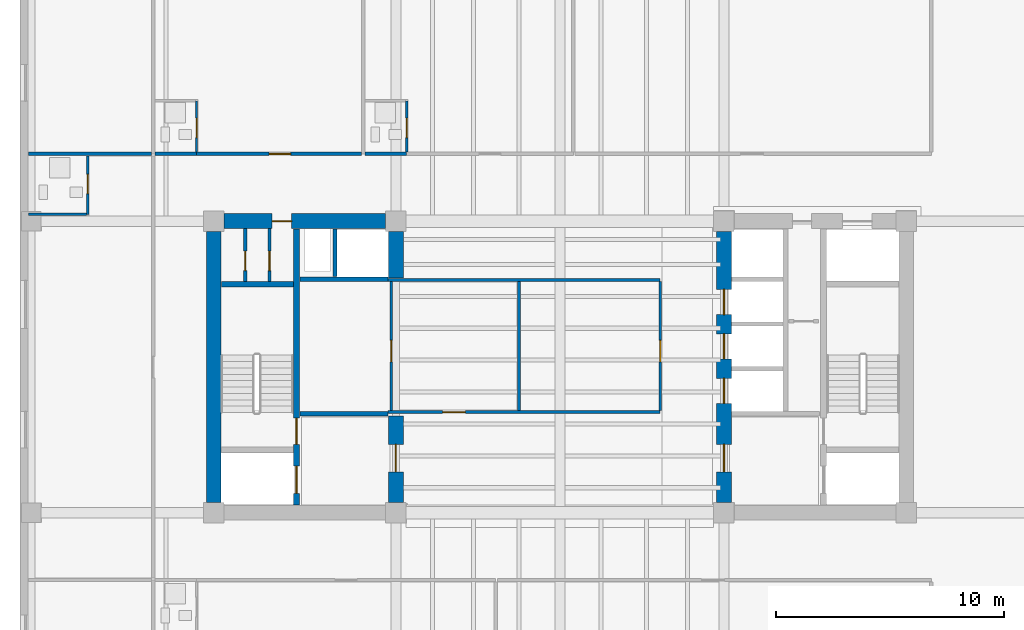
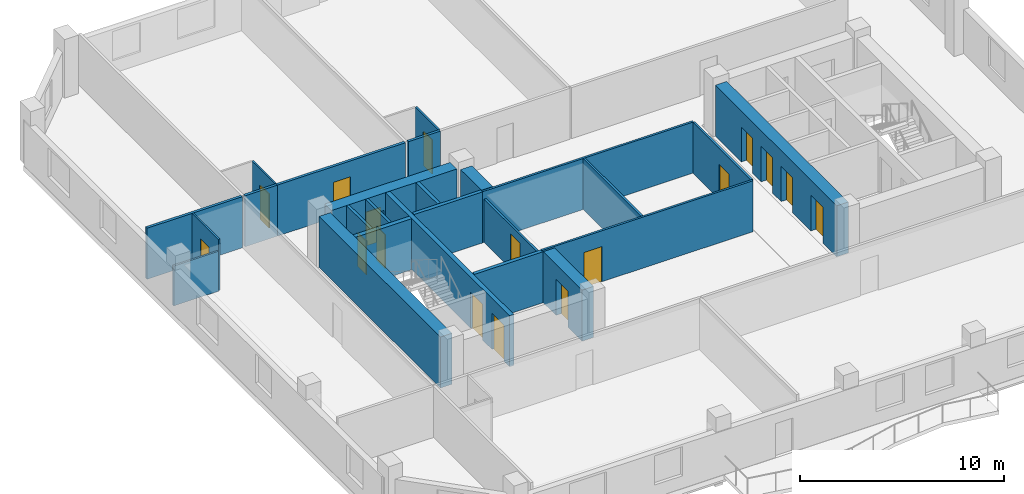
# One storey, part 3 of 9: 25 walls, 17 doors, 17 openings.
"""IFC4 building model written with IfcOpenShell, lengths in metres."""

from ifc_helpers import new_model, si_unit, direction, frame, frame_2d, origin, place, context, subcontext, project, spatial, rectangle, extrude, material, layer, layer_set, type_object, element, fill, save


model = new_model("IFC4")

# Units and contexts
model_context = context("Model", 3, precision=1e-05, world=origin(), true_north=direction((0.0, 1.0)))
body_context = subcontext(model_context, "Body", "Model", "MODEL_VIEW")
ifc_project = project(units=[si_unit("LENGTHUNIT", "METRE"), si_unit("AREAUNIT", "SQUARE_METRE"), si_unit("VOLUMEUNIT", "CUBIC_METRE"), si_unit("PLANEANGLEUNIT", "RADIAN"), si_unit("MASSUNIT", "GRAM", prefix="KILO")], contexts=[model_context])

# Site, building, storey
site_placement = place(None, origin())
site = spatial("IfcSite", under=ifc_project, at=site_placement, CompositionType="ELEMENT")
building_placement = place(site_placement, origin())
building = spatial("IfcBuilding", under=site, at=building_placement, Name="Kranthara Brick Stack", CompositionType="ELEMENT")
storey_placement = place(building_placement, frame((0.0, 0.0, 193.800048828125)))
storey = spatial("IfcBuildingStorey", under=building, at=storey_placement, Name="L50", CompositionType="ELEMENT", Elevation=193.800048828125)

# Wall, openings, doors
ifc_material_1 = material(Name="Concrete C50/60", Category="concrete")
ifc_layer_1 = layer(ifc_material_1, 0.25)
ifc_layer_set_1 = layer_set([ifc_layer_1], Name="Concrete C50/60")
wall_type_1 = type_object("IfcWallType", Name="WL-CORE-250", PredefinedType="SHEAR", material=ifc_layer_set_1)
wall_1_placement = place(storey_placement, frame((16.43505859375, 21.135009765625, 0.0), z_axis=(0.0, 0.0, 1.0), x_axis=(0.0, 1.0, 0.0)))
wall_1 = element("IfcWall", 1, at=wall_1_placement, inside=storey, type_object=wall_type_1, Name="L50 West Core Stair Bearing Spine Wall", PredefinedType="SHEAR", context=body_context, shape_type="SweptSolid", body=[
    extrude(rectangle(XDim=12.1298828125, YDim=0.25, at=frame_2d((6.06494140625, 0.0))), origin(), (0.0, 0.0, 1.0), 3.050048828125),
])
opening_1_placement = place(wall_1_placement, frame((0.514892578125, 0.0, 0.0)))
opening_1 = element("IfcOpeningElement", 2, at=opening_1_placement, cuts=wall_1, Name="Opening LD01", PredefinedType="OPENING", context=body_context, shape_type="SweptSolid", body=[
    extrude(rectangle(XDim=1.199951171875, YDim=2.14990234375, at=frame_2d((0.60009765625, 1.074951171875))), frame((0.0, 0.135009765625, 0.0), z_axis=(0.0, -1.0, 0.0), x_axis=(1.0, 0.0, 0.0)), (0.0, 0.0, 1.0), 0.27001953125),
])
opening_2_placement = place(wall_1_placement, frame((2.6650390625, 0.0, 0.0)))
opening_2 = element("IfcOpeningElement", 3, at=opening_2_placement, cuts=wall_1, Name="Opening D05", PredefinedType="OPENING", context=body_context, shape_type="SweptSolid", body=[
    extrude(rectangle(XDim=1.14990234375, YDim=2.14990234375, at=frame_2d((0.574951171875, 1.074951171875))), frame((0.0, 0.135009765625, 0.0), z_axis=(0.0, -1.0, 0.0), x_axis=(1.0, 0.0, 0.0)), (0.0, 0.0, 1.0), 0.27001953125),
])
ifc_material_2 = material(Name="Stainless steel sliding landing door", Category="steel")
door_type_1 = type_object("IfcDoorType", Name="DR-LD-FF1200", OperationType="DOUBLE_DOOR_SLIDING", PredefinedType="DOOR", material=ifc_material_2)
door_1_placement = place(opening_1_placement, origin())
door_1 = element("IfcDoor", 4, at=door_1_placement, inside=storey, type_object=door_type_1, Name="L50 Firefighting Lift FF-01 Landing Door", OperationType="DOUBLE_DOOR_SLIDING", OverallHeight=2.14990234375, OverallWidth=1.199951171875, PredefinedType="DOOR", context=body_context, shape_type="SweptSolid", body=[
    extrude(rectangle(XDim=1.199951171875, YDim=2.14990234375, at=frame_2d((0.60009765625, 1.074951171875))), frame((0.0, 0.02490234375, 0.0), z_axis=(0.0, -1.0, 0.0), x_axis=(1.0, 0.0, 0.0)), (0.0, 0.0, 1.0), 0.050048828125),
])
fill(opening_1, door_1)
ifc_material_3 = material(Name="Solid-core hardwood timber leaf in steel frame", Category="steel")
door_type_2 = type_object("IfcDoorType", Name="DR-ST-1150", OperationType="NOTDEFINED", PredefinedType="DOOR", material=ifc_material_3)
door_2_placement = place(opening_2_placement, origin())
door_2 = element("IfcDoor", 5, at=door_2_placement, inside=storey, type_object=door_type_2, Name="L50 Exit Stair ST01 Door", OperationType="SINGLE_SWING_RIGHT", OverallHeight=2.14990234375, OverallWidth=1.14990234375, PredefinedType="DOOR", context=body_context, shape_type="SweptSolid", body=[
    extrude(rectangle(XDim=1.14990234375, YDim=2.14990234375, at=frame_2d((0.574951171875, 1.074951171875))), frame((0.0, 0.02490234375, 0.0), z_axis=(0.0, -1.0, 0.0), x_axis=(1.0, 0.0, 0.0)), (0.0, 0.0, 1.0), 0.050048828125),
])
fill(opening_2, door_2)

# Walls
wall_2_placement = place(storey_placement, frame((13.135009765625, 30.830078125, 0.0), z_axis=(0.0, 0.0, 1.0), x_axis=(1.0, 0.0, 0.0)))
element("IfcWall", 6, at=wall_2_placement, inside=storey, type_object=wall_type_1, Name="L50 West Stairwell Bearing Wall WST", PredefinedType="SHEAR", context=body_context, shape_type="SweptSolid", body=[
    extrude(rectangle(XDim=3.175048828125, YDim=0.25, at=frame_2d((1.58740234375, 0.0))), origin(), (0.0, 0.0, 1.0), 3.050048828125),
])
ifc_material_4 = material(Name="Concrete C60/75", Category="concrete")
ifc_layer_2 = layer(ifc_material_4, 0.64990234375)
ifc_layer_set_2 = layer_set([ifc_layer_2], Name="Concrete C60/75")
wall_type_2 = type_object("IfcWallType", Name="WL-CORE-650", PredefinedType="SHEAR", material=ifc_layer_set_2)
wall_3_placement = place(storey_placement, frame((12.800048828125, 21.2548828125, 0.0), z_axis=(0.0, 0.0, 1.0), x_axis=(0.0, 1.0, 0.0)))
element("IfcWall", 7, at=wall_3_placement, inside=storey, type_object=wall_type_2, Name="L50 West Core Shear Wall West", PredefinedType="SHEAR", context=body_context, shape_type="SweptSolid", body=[
    extrude(rectangle(XDim=11.89013671875, YDim=0.64990234375, at=frame_2d((5.945068359375, 0.0))), origin(), (0.0, 0.0, 1.0), 3.050048828125),
])

# Wall, opening, door
wall_4_placement = place(storey_placement, frame((13.2548828125, 33.60009765625, 0.0), z_axis=(0.0, 0.0, 1.0), x_axis=(1.0, 0.0, 0.0)))
wall_4 = element("IfcWall", 8, at=wall_4_placement, inside=storey, type_object=wall_type_2, Name="L50 West Core Shear Wall North", PredefinedType="SHEAR", context=body_context, shape_type="SweptSolid", body=[
    extrude(rectangle(XDim=7.090087890625, YDim=0.64990234375, at=frame_2d((3.544921875, 0.0))), origin(), (0.0, 0.0, 1.0), 3.050048828125),
])
opening_3_placement = place(wall_4_placement, frame((2.114990234375, 0.0, 0.0)))
opening_3 = element("IfcOpeningElement", 9, at=opening_3_placement, cuts=wall_4, Name="Opening D10", PredefinedType="OPENING", context=body_context, shape_type="SweptSolid", body=[
    extrude(rectangle(XDim=0.85009765625, YDim=2.02001953125, at=frame_2d((0.425048828125, 1.010009765625))), frame((0.0, 0.3349609375, 0.0), z_axis=(0.0, -1.0, 0.0), x_axis=(1.0, 0.0, 0.0)), (0.0, 0.0, 1.0), 0.669921875),
])
ifc_material_5 = material(Name="Solid-core hardwood timber leaf in steel frame", Category="steel")
door_type_3 = type_object("IfcDoorType", Name="DR-RSR-850", OperationType="NOTDEFINED", PredefinedType="DOOR", material=ifc_material_5)
door_3_placement = place(opening_3_placement, origin())
door_3 = element("IfcDoor", 10, at=door_3_placement, inside=storey, type_object=door_type_3, Name="L50 West Core Service Door 1", OperationType="SINGLE_SWING_RIGHT", OverallHeight=2.02001953125, OverallWidth=0.85009765625, PredefinedType="DOOR", context=body_context, shape_type="SweptSolid", body=[
    extrude(rectangle(XDim=0.85009765625, YDim=2.02001953125, at=frame_2d((0.425048828125, 1.010009765625))), frame((0.0, 0.02490234375, 0.0), z_axis=(0.0, -1.0, 0.0), x_axis=(1.0, 0.0, 0.0)), (0.0, 0.0, 1.0), 0.050048828125),
])
fill(opening_3, door_3)

wall_5_placement = place(storey_placement, frame((20.800048828125, 21.2548828125, 0.0), z_axis=(0.0, 0.0, 1.0), x_axis=(0.0, 1.0, 0.0)))
wall_5 = element("IfcWall", 11, at=wall_5_placement, inside=storey, type_object=wall_type_2, Name="L50 West Core Lobby Shear Wall", PredefinedType="SHEAR", context=body_context, shape_type="SweptSolid", body=[
    extrude(rectangle(XDim=3.795166015625, YDim=0.64990234375, at=frame_2d((1.8974609375, 0.0))), origin(), (0.0, 0.0, 1.0), 3.050048828125),
])
opening_4_placement = place(wall_5_placement, frame((1.344970703125, 0.0, 0.0)))
opening_4 = element("IfcOpeningElement", 12, at=opening_4_placement, cuts=wall_5, Name="Opening D06", PredefinedType="OPENING", context=body_context, shape_type="SweptSolid", body=[
    extrude(rectangle(XDim=1.199951171875, YDim=2.14990234375, at=frame_2d((0.60009765625, 1.074951171875))), frame((0.0, 0.3349609375, 0.0), z_axis=(0.0, -1.0, 0.0), x_axis=(1.0, 0.0, 0.0)), (0.0, 0.0, 1.0), 0.669921875),
])
ifc_material_6 = material(Name="Solid-core hardwood timber leaf in steel frame", Category="steel")
door_type_4 = type_object("IfcDoorType", Name="DR-FFL-1200", OperationType="NOTDEFINED", PredefinedType="DOOR", material=ifc_material_6)
door_4_placement = place(opening_4_placement, origin())
door_4 = element("IfcDoor", 13, at=door_4_placement, inside=storey, type_object=door_type_4, Name="L50 West Firefighting Lobby Door", OperationType="SINGLE_SWING_LEFT", OverallHeight=2.14990234375, OverallWidth=1.199951171875, PredefinedType="DOOR", context=body_context, shape_type="SweptSolid", body=[
    extrude(rectangle(XDim=1.199951171875, YDim=2.14990234375, at=frame_2d((0.60009765625, 1.074951171875))), frame((0.0, 0.02490234375, 0.0), z_axis=(0.0, -1.0, 0.0), x_axis=(1.0, 0.0, 0.0)), (0.0, 0.0, 1.0), 0.050048828125),
])
fill(opening_4, door_4)

# Wall
wall_6_placement = place(storey_placement, frame((20.800048828125, 31.10009765625, 0.0), z_axis=(0.0, 0.0, 1.0), x_axis=(0.0, 1.0, 0.0)))
element("IfcWall", 14, at=wall_6_placement, inside=storey, type_object=wall_type_2, Name="L50 West Core High-Rise Lift Wall", PredefinedType="SHEAR", context=body_context, shape_type="SweptSolid", body=[
    extrude(rectangle(XDim=2.044921875, YDim=0.64990234375, at=frame_2d((1.0224609375, 0.0))), origin(), (0.0, 0.0, 1.0), 3.050048828125),
])

# Wall, openings, doors
wall_7_placement = place(storey_placement, frame((35.199951171875, 21.2548828125, 0.0), z_axis=(0.0, 0.0, 1.0), x_axis=(0.0, 1.0, 0.0)))
wall_7 = element("IfcWall", 15, at=wall_7_placement, inside=storey, type_object=wall_type_2, Name="L50 East Core Shear Wall West", PredefinedType="SHEAR", context=body_context, shape_type="SweptSolid", body=[
    extrude(rectangle(XDim=11.89013671875, YDim=0.64990234375, at=frame_2d((5.945068359375, 0.0))), origin(), (0.0, 0.0, 1.0), 3.050048828125),
])
opening_5_placement = place(wall_7_placement, frame((1.344970703125, 0.0, 0.0)))
opening_5 = element("IfcOpeningElement", 16, at=opening_5_placement, cuts=wall_7, Name="Opening D06", PredefinedType="OPENING", context=body_context, shape_type="SweptSolid", body=[
    extrude(rectangle(XDim=1.199951171875, YDim=2.14990234375, at=frame_2d((0.60009765625, 1.074951171875))), frame((0.0, 0.3349609375, 0.0), z_axis=(0.0, -1.0, 0.0), x_axis=(1.0, 0.0, 0.0)), (0.0, 0.0, 1.0), 0.669921875),
])
opening_6_placement = place(wall_7_placement, frame((4.344970703125, 0.0, 0.0)))
opening_6 = element("IfcOpeningElement", 17, at=opening_6_placement, cuts=wall_7, Name="Opening LD02", PredefinedType="OPENING", context=body_context, shape_type="SweptSolid", body=[
    extrude(rectangle(XDim=1.10009765625, YDim=2.10009765625, at=frame_2d((0.550048828125, 1.050048828125))), frame((0.0, 0.3349609375, 0.0), z_axis=(0.0, -1.0, 0.0), x_axis=(1.0, 0.0, 0.0)), (0.0, 0.0, 1.0), 0.669921875),
])
opening_7_placement = place(wall_7_placement, frame((6.294921875, 0.0, 0.0)))
opening_7 = element("IfcOpeningElement", 18, at=opening_7_placement, cuts=wall_7, Name="Opening LD02", PredefinedType="OPENING", context=body_context, shape_type="SweptSolid", body=[
    extrude(rectangle(XDim=1.10009765625, YDim=2.10009765625, at=frame_2d((0.550048828125, 1.050048828125))), frame((0.0, 0.3349609375, 0.0), z_axis=(0.0, -1.0, 0.0), x_axis=(1.0, 0.0, 0.0)), (0.0, 0.0, 1.0), 0.669921875),
])
opening_8_placement = place(wall_7_placement, frame((8.2451171875, 0.0, 0.0)))
opening_8 = element("IfcOpeningElement", 19, at=opening_8_placement, cuts=wall_7, Name="Opening LD02", PredefinedType="OPENING", context=body_context, shape_type="SweptSolid", body=[
    extrude(rectangle(XDim=1.10009765625, YDim=2.10009765625, at=frame_2d((0.550048828125, 1.050048828125))), frame((0.0, 0.3349609375, 0.0), z_axis=(0.0, -1.0, 0.0), x_axis=(1.0, 0.0, 0.0)), (0.0, 0.0, 1.0), 0.669921875),
])
door_5_placement = place(opening_5_placement, origin())
door_5 = element("IfcDoor", 20, at=door_5_placement, inside=storey, type_object=door_type_4, Name="L50 East Firefighting Lobby Door", OperationType="SINGLE_SWING_RIGHT", OverallHeight=2.14990234375, OverallWidth=1.199951171875, PredefinedType="DOOR", context=body_context, shape_type="SweptSolid", body=[
    extrude(rectangle(XDim=1.199951171875, YDim=2.14990234375, at=frame_2d((0.60009765625, 1.074951171875))), frame((0.0, 0.02490234375, 0.0), z_axis=(0.0, -1.0, 0.0), x_axis=(1.0, 0.0, 0.0)), (0.0, 0.0, 1.0), 0.050048828125),
])
fill(opening_5, door_5)
ifc_material_7 = material(Name="Stainless steel sliding landing door", Category="steel")
door_type_5 = type_object("IfcDoorType", Name="DR-LD-PL1100", OperationType="DOUBLE_DOOR_SLIDING", PredefinedType="DOOR", material=ifc_material_7)
door_6_placement = place(opening_6_placement, origin())
door_6 = element("IfcDoor", 21, at=door_6_placement, inside=storey, type_object=door_type_5, Name="L50 PL-04 Lift Landing Door", OperationType="DOUBLE_DOOR_SLIDING", OverallHeight=2.10009765625, OverallWidth=1.10009765625, PredefinedType="DOOR", context=body_context, shape_type="SweptSolid", body=[
    extrude(rectangle(XDim=1.10009765625, YDim=2.10009765625, at=frame_2d((0.550048828125, 1.050048828125))), frame((0.0, 0.02490234375, 0.0), z_axis=(0.0, -1.0, 0.0), x_axis=(1.0, 0.0, 0.0)), (0.0, 0.0, 1.0), 0.050048828125),
])
fill(opening_6, door_6)
door_7_placement = place(opening_7_placement, origin())
door_7 = element("IfcDoor", 22, at=door_7_placement, inside=storey, type_object=door_type_5, Name="L50 PL-05 Lift Landing Door", OperationType="DOUBLE_DOOR_SLIDING", OverallHeight=2.10009765625, OverallWidth=1.10009765625, PredefinedType="DOOR", context=body_context, shape_type="SweptSolid", body=[
    extrude(rectangle(XDim=1.10009765625, YDim=2.10009765625, at=frame_2d((0.550048828125, 1.050048828125))), frame((0.0, 0.02490234375, 0.0), z_axis=(0.0, -1.0, 0.0), x_axis=(1.0, 0.0, 0.0)), (0.0, 0.0, 1.0), 0.050048828125),
])
fill(opening_7, door_7)
door_8_placement = place(opening_8_placement, origin())
door_8 = element("IfcDoor", 23, at=door_8_placement, inside=storey, type_object=door_type_5, Name="L50 PL-06 Lift Landing Door", OperationType="DOUBLE_DOOR_SLIDING", OverallHeight=2.10009765625, OverallWidth=1.10009765625, PredefinedType="DOOR", context=body_context, shape_type="SweptSolid", body=[
    extrude(rectangle(XDim=1.10009765625, YDim=2.10009765625, at=frame_2d((0.550048828125, 1.050048828125))), frame((0.0, 0.02490234375, 0.0), z_axis=(0.0, -1.0, 0.0), x_axis=(1.0, 0.0, 0.0)), (0.0, 0.0, 1.0), 0.050048828125),
])
fill(opening_8, door_8)

# Wall, opening, door
ifc_material_8 = material(Name="Moisture-resistant wet-room partition", Category="other")
ifc_layer_3 = layer(ifc_material_8, 0.10009765625)
ifc_layer_set_3 = layer_set([ifc_layer_3], Name="Moisture-resistant wet-room partition")
wall_type_3 = type_object("IfcWallType", Name="WL-PART-100", PredefinedType="PARTITIONING", material=ifc_layer_set_3)
wall_8_placement = place(storey_placement, frame((12.050048828125, 36.6298828125, 0.0), z_axis=(0.0, 0.0, 1.0), x_axis=(0.0, 1.0, 0.0)))
wall_8 = element("IfcWall", 24, at=wall_8_placement, inside=storey, type_object=wall_type_3, Name="L50 Interior Partition 021", PredefinedType="PARTITIONING", context=body_context, shape_type="SweptSolid", body=[
    extrude(rectangle(XDim=2.25, YDim=0.10009765625, at=frame_2d((1.125, 0.0))), origin(), (0.0, 0.0, 1.0), 3.050048828125),
])
opening_9_placement = place(wall_8_placement, frame((0.639892578125, 0.0, 0.0)))
opening_9 = element("IfcOpeningElement", 25, at=opening_9_placement, cuts=wall_8, Name="Opening D17", PredefinedType="OPENING", context=body_context, shape_type="SweptSolid", body=[
    extrude(rectangle(XDim=0.85009765625, YDim=2.050048828125, at=frame_2d((0.425048828125, 1.02490234375))), frame((0.0, 0.06005859375, 0.0), z_axis=(0.0, -1.0, 0.0), x_axis=(1.0, 0.0, 0.0)), (0.0, 0.0, 1.0), 0.1201171875),
])
ifc_material_9 = material(Name="Solid-core hardwood timber leaf in steel frame", Category="steel")
door_type_6 = type_object("IfcDoorType", Name="DR-WET-850", OperationType="NOTDEFINED", PredefinedType="DOOR", material=ifc_material_9)
door_9_placement = place(opening_9_placement, origin())
door_9 = element("IfcDoor", 26, at=door_9_placement, inside=storey, type_object=door_type_6, Name="L50 Key 03 En-Suite Door 10", OperationType="SINGLE_SWING_RIGHT", OverallHeight=2.050048828125, OverallWidth=0.85009765625, PredefinedType="DOOR", context=body_context, shape_type="SweptSolid", body=[
    extrude(rectangle(XDim=0.85009765625, YDim=2.050048828125, at=frame_2d((0.425048828125, 1.02490234375))), frame((0.0, 0.02490234375, 0.0), z_axis=(0.0, -1.0, 0.0), x_axis=(1.0, 0.0, 0.0)), (0.0, 0.0, 1.0), 0.050048828125),
])
fill(opening_9, door_9)

wall_9_placement = place(storey_placement, frame((21.27001953125, 36.6298828125, 0.0), z_axis=(0.0, 0.0, 1.0), x_axis=(0.0, 1.0, 0.0)))
wall_9 = element("IfcWall", 27, at=wall_9_placement, inside=storey, type_object=wall_type_3, Name="L50 Interior Partition 025", PredefinedType="PARTITIONING", context=body_context, shape_type="SweptSolid", body=[
    extrude(rectangle(XDim=2.25, YDim=0.10009765625, at=frame_2d((1.125, 0.0))), origin(), (0.0, 0.0, 1.0), 3.050048828125),
])
opening_10_placement = place(wall_9_placement, frame((0.639892578125, 0.0, 0.0)))
opening_10 = element("IfcOpeningElement", 28, at=opening_10_placement, cuts=wall_9, Name="Opening D17", PredefinedType="OPENING", context=body_context, shape_type="SweptSolid", body=[
    extrude(rectangle(XDim=0.85009765625, YDim=2.050048828125, at=frame_2d((0.425048828125, 1.02490234375))), frame((0.0, 0.06005859375, 0.0), z_axis=(0.0, -1.0, 0.0), x_axis=(1.0, 0.0, 0.0)), (0.0, 0.0, 1.0), 0.1201171875),
])
door_10_placement = place(opening_10_placement, origin())
door_10 = element("IfcDoor", 29, at=door_10_placement, inside=storey, type_object=door_type_6, Name="L50 Key 04 En-Suite Door 12", OperationType="SINGLE_SWING_RIGHT", OverallHeight=2.050048828125, OverallWidth=0.85009765625, PredefinedType="DOOR", context=body_context, shape_type="SweptSolid", body=[
    extrude(rectangle(XDim=0.85009765625, YDim=2.050048828125, at=frame_2d((0.425048828125, 1.02490234375))), frame((0.0, 0.02490234375, 0.0), z_axis=(0.0, -1.0, 0.0), x_axis=(1.0, 0.0, 0.0)), (0.0, 0.0, 1.0), 0.050048828125),
])
fill(opening_10, door_10)

wall_10_placement = place(storey_placement, frame((7.27001953125, 33.89990234375, 0.0), z_axis=(0.0, 0.0, 1.0), x_axis=(0.0, 1.0, 0.0)))
wall_10 = element("IfcWall", 30, at=wall_10_placement, inside=storey, type_object=wall_type_3, Name="L50 Interior Partition 033", PredefinedType="PARTITIONING", context=body_context, shape_type="SweptSolid", body=[
    extrude(rectangle(XDim=2.570068359375, YDim=0.10009765625, at=frame_2d((1.28515625, 0.0))), origin(), (0.0, 0.0, 1.0), 3.050048828125),
])
opening_11_placement = place(wall_10_placement, frame((0.905029296875, 0.0, 0.0)))
opening_11 = element("IfcOpeningElement", 31, at=opening_11_placement, cuts=wall_10, Name="Opening D17", PredefinedType="OPENING", context=body_context, shape_type="SweptSolid", body=[
    extrude(rectangle(XDim=0.85009765625, YDim=2.050048828125, at=frame_2d((0.425048828125, 1.02490234375))), frame((0.0, 0.06005859375, 0.0), z_axis=(0.0, -1.0, 0.0), x_axis=(1.0, 0.0, 0.0)), (0.0, 0.0, 1.0), 0.1201171875),
])
door_11_placement = place(opening_11_placement, origin())
door_11 = element("IfcDoor", 32, at=door_11_placement, inside=storey, type_object=door_type_6, Name="L50 West Key 6 Bath 15", OperationType="SINGLE_SWING_LEFT", OverallHeight=2.050048828125, OverallWidth=0.85009765625, PredefinedType="DOOR", context=body_context, shape_type="SweptSolid", body=[
    extrude(rectangle(XDim=0.85009765625, YDim=2.050048828125, at=frame_2d((0.425048828125, 1.02490234375))), frame((0.0, 0.02490234375, 0.0), z_axis=(0.0, -1.0, 0.0), x_axis=(1.0, 0.0, 0.0)), (0.0, 0.0, 1.0), 0.050048828125),
])
fill(opening_11, door_11)

# Wall
wall_11_placement = place(storey_placement, frame((4.675048828125, 33.89990234375, 0.0), z_axis=(0.0, 0.0, 1.0), x_axis=(1.0, 0.0, 0.0)))
element("IfcWall", 33, at=wall_11_placement, inside=storey, type_object=wall_type_3, Name="L50 Interior Partition 034", PredefinedType="PARTITIONING", context=body_context, shape_type="SweptSolid", body=[
    extrude(rectangle(XDim=2.5400390625, YDim=0.10009765625, at=frame_2d((1.27001953125, 0.0))), origin(), (0.0, 0.0, 1.0), 2.385009765625),
])

# Wall, opening, door
ifc_material_10 = material(Name="Acoustic gypsum plasterboard partition", Category="other")
ifc_layer_4 = layer(ifc_material_10, 0.1201171875)
ifc_layer_set_4 = layer_set([ifc_layer_4], Name="Acoustic gypsum plasterboard partition")
wall_type_4 = type_object("IfcWallType", Name="WL-PART-120", PredefinedType="PARTITIONING", material=ifc_layer_set_4)
wall_12_placement = place(storey_placement, frame((20.4599609375, 25.219970703125, 0.0), z_axis=(0.0, 0.0, 1.0), x_axis=(1.0, 0.0, 0.0)))
wall_12 = element("IfcWall", 34, at=wall_12_placement, inside=storey, type_object=wall_type_4, Name="L50 Interior Partition 004", PredefinedType="PARTITIONING", context=body_context, shape_type="SweptSolid", body=[
    extrude(rectangle(XDim=11.93994140625, YDim=0.1201171875, at=frame_2d((5.969970703125, 0.0))), origin(), (0.0, 0.0, 1.0), 3.050048828125),
])
opening_12_placement = place(wall_12_placement, frame((2.389892578125, 0.0, 0.0)))
opening_12 = element("IfcOpeningElement", 35, at=opening_12_placement, cuts=wall_12, Name="Opening D13", PredefinedType="OPENING", context=body_context, shape_type="SweptSolid", body=[
    extrude(rectangle(XDim=1.0, YDim=2.10009765625, at=frame_2d((0.5, 1.050048828125))), frame((0.0, 0.070068359375, 0.0), z_axis=(0.0, -1.0, 0.0), x_axis=(1.0, 0.0, 0.0)), (0.0, 0.0, 1.0), 0.14013671875),
])
ifc_material_11 = material(Name="Solid-core hardwood timber leaf in steel frame", Category="steel")
door_type_7 = type_object("IfcDoorType", Name="DR-INT-1000", OperationType="NOTDEFINED", PredefinedType="DOOR", material=ifc_material_11)
door_12_placement = place(opening_12_placement, origin())
door_12 = element("IfcDoor", 36, at=door_12_placement, inside=storey, type_object=door_type_7, Name="L50 Tea Salon Door 05", OperationType="SINGLE_SWING_LEFT", OverallHeight=2.10009765625, OverallWidth=1.0, PredefinedType="DOOR", context=body_context, shape_type="SweptSolid", body=[
    extrude(rectangle(XDim=1.0, YDim=2.10009765625, at=frame_2d((0.5, 1.050048828125))), frame((0.0, 0.02490234375, 0.0), z_axis=(0.0, -1.0, 0.0), x_axis=(1.0, 0.0, 0.0)), (0.0, 0.0, 1.0), 0.050048828125),
])
fill(opening_12, door_12)

# Wall
wall_13_placement = place(storey_placement, frame((20.4599609375, 31.02001953125, 0.0), z_axis=(0.0, 0.0, 1.0), x_axis=(1.0, 0.0, 0.0)))
element("IfcWall", 37, at=wall_13_placement, inside=storey, type_object=wall_type_4, Name="L50 Interior Partition 005", PredefinedType="PARTITIONING", context=body_context, shape_type="SweptSolid", body=[
    extrude(rectangle(XDim=11.93994140625, YDim=0.1201171875, at=frame_2d((5.969970703125, 0.0))), origin(), (0.0, 0.0, 1.0), 3.050048828125),
])

# Wall, opening, door
wall_14_placement = place(storey_placement, frame((32.39990234375, 25.284912109375, 0.0), z_axis=(0.0, 0.0, 1.0), x_axis=(0.0, 1.0, 0.0)))
wall_14 = element("IfcWall", 38, at=wall_14_placement, inside=storey, type_object=wall_type_4, Name="L50 Interior Partition 006", PredefinedType="PARTITIONING", context=body_context, shape_type="SweptSolid", body=[
    extrude(rectangle(XDim=5.670166015625, YDim=0.1201171875, at=frame_2d((2.8349609375, 0.0))), origin(), (0.0, 0.0, 1.0), 3.050048828125),
])
opening_13_placement = place(wall_14_placement, frame((2.135009765625, 0.0, 0.0)))
opening_13 = element("IfcOpeningElement", 39, at=opening_13_placement, cuts=wall_14, Name="Opening D14", PredefinedType="OPENING", context=body_context, shape_type="SweptSolid", body=[
    extrude(rectangle(XDim=0.949951171875, YDim=2.10009765625, at=frame_2d((0.47509765625, 1.050048828125))), frame((0.0, 0.070068359375, 0.0), z_axis=(0.0, -1.0, 0.0), x_axis=(1.0, 0.0, 0.0)), (0.0, 0.0, 1.0), 0.14013671875),
])
ifc_material_12 = material(Name="Solid-core hardwood timber leaf in steel frame", Category="steel")
door_type_8 = type_object("IfcDoorType", Name="DR-INT-950", OperationType="NOTDEFINED", PredefinedType="DOOR", material=ifc_material_12)
door_13_placement = place(opening_13_placement, origin())
door_13 = element("IfcDoor", 40, at=door_13_placement, inside=storey, type_object=door_type_8, Name="L50 Housekeeping Linen Door 06", OperationType="SINGLE_SWING_RIGHT", OverallHeight=2.10009765625, OverallWidth=0.949951171875, PredefinedType="DOOR", context=body_context, shape_type="SweptSolid", body=[
    extrude(rectangle(XDim=0.949951171875, YDim=2.10009765625, at=frame_2d((0.47509765625, 1.050048828125))), frame((0.0, 0.02490234375, 0.0), z_axis=(0.0, -1.0, 0.0), x_axis=(1.0, 0.0, 0.0)), (0.0, 0.0, 1.0), 0.050048828125),
])
fill(opening_13, door_13)

wall_15_placement = place(storey_placement, frame((20.60009765625, 25.284912109375, 0.0), z_axis=(0.0, 0.0, 1.0), x_axis=(0.0, 1.0, 0.0)))
wall_15 = element("IfcWall", 41, at=wall_15_placement, inside=storey, type_object=wall_type_4, Name="L50 Interior Partition 007", PredefinedType="PARTITIONING", context=body_context, shape_type="SweptSolid", body=[
    extrude(rectangle(XDim=5.670166015625, YDim=0.1201171875, at=frame_2d((2.8349609375, 0.0))), origin(), (0.0, 0.0, 1.0), 2.5849609375),
])
opening_14_placement = place(wall_15_placement, frame((2.135009765625, 0.0, 0.0)))
opening_14 = element("IfcOpeningElement", 42, at=opening_14_placement, cuts=wall_15, Name="Opening D14", PredefinedType="OPENING", context=body_context, shape_type="SweptSolid", body=[
    extrude(rectangle(XDim=0.949951171875, YDim=2.10009765625, at=frame_2d((0.47509765625, 1.050048828125))), frame((0.0, 0.070068359375, 0.0), z_axis=(0.0, -1.0, 0.0), x_axis=(1.0, 0.0, 0.0)), (0.0, 0.0, 1.0), 0.14013671875),
])
door_14_placement = place(opening_14_placement, origin())
door_14 = element("IfcDoor", 43, at=door_14_placement, inside=storey, type_object=door_type_8, Name="L50 Inner Archive Door 04", OperationType="SINGLE_SWING_RIGHT", OverallHeight=2.10009765625, OverallWidth=0.949951171875, PredefinedType="DOOR", context=body_context, shape_type="SweptSolid", body=[
    extrude(rectangle(XDim=0.949951171875, YDim=2.10009765625, at=frame_2d((0.47509765625, 1.050048828125))), frame((0.0, 0.02490234375, 0.0), z_axis=(0.0, -1.0, 0.0), x_axis=(1.0, 0.0, 0.0)), (0.0, 0.0, 1.0), 0.050048828125),
])
fill(opening_14, door_14)

# Wall
wall_16_placement = place(storey_placement, frame((26.199951171875, 25.284912109375, 0.0), z_axis=(0.0, 0.0, 1.0), x_axis=(0.0, 1.0, 0.0)))
element("IfcWall", 44, at=wall_16_placement, inside=storey, type_object=wall_type_4, Name="L50 Interior Partition 008", PredefinedType="PARTITIONING", context=body_context, shape_type="SweptSolid", body=[
    extrude(rectangle(XDim=5.670166015625, YDim=0.1201171875, at=frame_2d((2.8349609375, 0.0))), origin(), (0.0, 0.0, 1.0), 3.050048828125),
])

# Wall, opening, door
ifc_material_13 = material(Name="Fire-rated gypsum board partition", Category="other")
ifc_layer_5 = layer(ifc_material_13, 0.14990234375)
ifc_layer_set_5 = layer_set([ifc_layer_5], Name="Fire-rated gypsum board partition")
wall_type_5 = type_object("IfcWallType", Name="WL-PART-150", PredefinedType="PARTITIONING", material=ifc_layer_set_5)
wall_17_placement = place(storey_placement, frame((14.179931640625, 30.9599609375, 0.0), z_axis=(0.0, 0.0, 1.0), x_axis=(0.0, 1.0, 0.0)))
wall_17 = element("IfcWall", 45, at=wall_17_placement, inside=storey, type_object=wall_type_5, Name="L50 Interior Partition 001", PredefinedType="PARTITIONING", context=body_context, shape_type="SweptSolid", body=[
    extrude(rectangle(XDim=2.31005859375, YDim=0.14990234375, at=frame_2d((1.155029296875, 0.0))), origin(), (0.0, 0.0, 1.0), 3.050048828125),
])
opening_15_placement = place(wall_17_placement, frame((0.469970703125, 0.0, 0.0)))
opening_15 = element("IfcOpeningElement", 46, at=opening_15_placement, cuts=wall_17, Name="Opening D10", PredefinedType="OPENING", context=body_context, shape_type="SweptSolid", body=[
    extrude(rectangle(XDim=0.85009765625, YDim=2.02001953125, at=frame_2d((0.425048828125, 1.010009765625))), frame((0.0, 0.0849609375, 0.0), z_axis=(0.0, -1.0, 0.0), x_axis=(1.0, 0.0, 0.0)), (0.0, 0.0, 1.0), 0.169921875),
])
door_15_placement = place(opening_15_placement, origin())
door_15 = element("IfcDoor", 47, at=door_15_placement, inside=storey, type_object=door_type_3, Name="L50 Riser Door A 01", OperationType="SINGLE_SWING_LEFT", OverallHeight=2.02001953125, OverallWidth=0.85009765625, PredefinedType="DOOR", context=body_context, shape_type="SweptSolid", body=[
    extrude(rectangle(XDim=0.85009765625, YDim=2.02001953125, at=frame_2d((0.425048828125, 1.010009765625))), frame((0.0, 0.02490234375, 0.0), z_axis=(0.0, -1.0, 0.0), x_axis=(1.0, 0.0, 0.0)), (0.0, 0.0, 1.0), 0.050048828125),
])
fill(opening_15, door_15)

wall_18_placement = place(storey_placement, frame((15.25, 30.9599609375, 0.0), z_axis=(0.0, 0.0, 1.0), x_axis=(0.0, 1.0, 0.0)))
wall_18 = element("IfcWall", 48, at=wall_18_placement, inside=storey, type_object=wall_type_5, Name="L50 Interior Partition 002", PredefinedType="PARTITIONING", context=body_context, shape_type="SweptSolid", body=[
    extrude(rectangle(XDim=2.31005859375, YDim=0.14990234375, at=frame_2d((1.155029296875, 0.0))), origin(), (0.0, 0.0, 1.0), 3.050048828125),
])
opening_16_placement = place(wall_18_placement, frame((0.469970703125, 0.0, 0.0)))
opening_16 = element("IfcOpeningElement", 49, at=opening_16_placement, cuts=wall_18, Name="Opening D10", PredefinedType="OPENING", context=body_context, shape_type="SweptSolid", body=[
    extrude(rectangle(XDim=0.85009765625, YDim=2.02001953125, at=frame_2d((0.425048828125, 1.010009765625))), frame((0.0, 0.0849609375, 0.0), z_axis=(0.0, -1.0, 0.0), x_axis=(1.0, 0.0, 0.0)), (0.0, 0.0, 1.0), 0.169921875),
])
door_16_placement = place(opening_16_placement, origin())
door_16 = element("IfcDoor", 50, at=door_16_placement, inside=storey, type_object=door_type_3, Name="L50 Riser Door B 02", OperationType="SINGLE_SWING_RIGHT", OverallHeight=2.02001953125, OverallWidth=0.85009765625, PredefinedType="DOOR", context=body_context, shape_type="SweptSolid", body=[
    extrude(rectangle(XDim=0.85009765625, YDim=2.02001953125, at=frame_2d((0.425048828125, 1.010009765625))), frame((0.0, 0.02490234375, 0.0), z_axis=(0.0, -1.0, 0.0), x_axis=(1.0, 0.0, 0.0)), (0.0, 0.0, 1.0), 0.050048828125),
])
fill(opening_16, door_16)

# Wall
wall_19_placement = place(storey_placement, frame((10.22998046875, 36.550048828125, 0.0), z_axis=(0.0, 0.0, 1.0), x_axis=(1.0, 0.0, 0.0)))
element("IfcWall", 51, at=wall_19_placement, inside=storey, type_object=wall_type_5, Name="L50 Interior Partition 019", PredefinedType="PARTITIONING", context=body_context, shape_type="SweptSolid", body=[
    extrude(rectangle(XDim=1.820068359375, YDim=0.14990234375, at=frame_2d((0.91015625, 0.0))), origin(), (0.0, 0.0, 1.0), 3.050048828125),
])

# Wall, opening, door
wall_20_placement = place(storey_placement, frame((12.050048828125, 36.550048828125, 0.0), z_axis=(0.0, 0.0, 1.0), x_axis=(1.0, 0.0, 0.0)))
wall_20 = element("IfcWall", 52, at=wall_20_placement, inside=storey, type_object=wall_type_5, Name="L50 Interior Partition 020", PredefinedType="PARTITIONING", context=body_context, shape_type="SweptSolid", body=[
    extrude(rectangle(XDim=7.239990234375, YDim=0.14990234375, at=frame_2d((3.6201171875, 0.0))), origin(), (0.0, 0.0, 1.0), 3.050048828125),
])
opening_17_placement = place(wall_20_placement, frame((3.179931640625, 0.0, 0.0)))
opening_17 = element("IfcOpeningElement", 53, at=opening_17_placement, cuts=wall_20, Name="Opening D09", PredefinedType="OPENING", context=body_context, shape_type="SweptSolid", body=[
    extrude(rectangle(XDim=0.949951171875, YDim=2.10009765625, at=frame_2d((0.47509765625, 1.050048828125))), frame((0.0, 0.0849609375, 0.0), z_axis=(0.0, -1.0, 0.0), x_axis=(1.0, 0.0, 0.0)), (0.0, 0.0, 1.0), 0.169921875),
])
ifc_material_14 = material(Name="Solid-core hardwood timber leaf in steel frame", Category="steel")
door_type_9 = type_object("IfcDoorType", Name="DR-FD-950", OperationType="NOTDEFINED", PredefinedType="DOOR", material=ifc_material_14)
door_17_placement = place(opening_17_placement, origin())
door_17 = element("IfcDoor", 54, at=door_17_placement, inside=storey, type_object=door_type_9, Name="L50 Key 03 Entry 11", OperationType="SINGLE_SWING_LEFT", OverallHeight=2.10009765625, OverallWidth=0.949951171875, PredefinedType="DOOR", context=body_context, shape_type="SweptSolid", body=[
    extrude(rectangle(XDim=0.949951171875, YDim=2.10009765625, at=frame_2d((0.47509765625, 1.050048828125))), frame((0.0, 0.02490234375, 0.0), z_axis=(0.0, -1.0, 0.0), x_axis=(1.0, 0.0, 0.0)), (0.0, 0.0, 1.0), 0.050048828125),
])
fill(opening_17, door_17)

# Walls
wall_21_placement = place(storey_placement, frame((19.449951171875, 36.550048828125, 0.0), z_axis=(0.0, 0.0, 1.0), x_axis=(1.0, 0.0, 0.0)))
element("IfcWall", 55, at=wall_21_placement, inside=storey, type_object=wall_type_5, Name="L50 Interior Partition 023", PredefinedType="PARTITIONING", context=body_context, shape_type="SweptSolid", body=[
    extrude(rectangle(XDim=1.820068359375, YDim=0.14990234375, at=frame_2d((0.91015625, 0.0))), origin(), (0.0, 0.0, 1.0), 3.050048828125),
])
wall_22_placement = place(storey_placement, frame((4.675048828125, 36.550048828125, 0.0), z_axis=(0.0, 0.0, 1.0), x_axis=(1.0, 0.0, 0.0)))
element("IfcWall", 56, at=wall_22_placement, inside=storey, type_object=wall_type_5, Name="L50 Interior Partition 031", PredefinedType="PARTITIONING", context=body_context, shape_type="SweptSolid", body=[
    extrude(rectangle(XDim=5.39501953125, YDim=0.14990234375, at=frame_2d((2.697509765625, 0.0))), origin(), (0.0, 0.0, 1.0), 3.050048828125),
])
ifc_material_15 = material(Name="Gypsum plasterboard on acoustic twin stud", Category="other")
ifc_layer_6 = layer(ifc_material_15, 0.179931640625)
ifc_layer_set_6 = layer_set([ifc_layer_6], Name="Gypsum plasterboard on acoustic twin stud")
wall_type_6 = type_object("IfcWallType", Name="WL-PART-180", PredefinedType="PARTITIONING", material=ifc_layer_set_6)
wall_23_placement = place(storey_placement, frame((18.1201171875, 31.169921875, 0.0), z_axis=(0.0, 0.0, 1.0), x_axis=(0.0, 1.0, 0.0)))
element("IfcWall", 57, at=wall_23_placement, inside=storey, type_object=wall_type_6, Name="L50 PL-07 Shaft Back Wall", PredefinedType="PARTITIONING", context=body_context, shape_type="SweptSolid", body=[
    extrude(rectangle(XDim=2.094970703125, YDim=0.179931640625, at=frame_2d((1.04736328125, 0.0))), origin(), (0.0, 0.0, 1.0), 3.050048828125),
])
ifc_material_16 = material(Name="Concrete C40/50", Category="concrete")
ifc_layer_7 = layer(ifc_material_16, 0.199951171875)
ifc_layer_set_7 = layer_set([ifc_layer_7], Name="Concrete C40/50")
wall_type_7 = type_object("IfcWallType", Name="WL-PART-200", PredefinedType="SOLIDWALL", material=ifc_layer_set_7)
for number, where, z_axis, x_axis, name in (
    (58, (16.60009765625, 25.14990234375, 0.0), (0.0, 0.0, 1.0), (1.0, 0.0, 0.0), "L50 West Core Cross Wall WFL"),
    (59, (16.60009765625, 31.050048828125, 0.0), (0.0, 0.0, 1.0), (1.0, 0.0, 0.0), "L50 West Core Cross Wall WH4"),
):
    element("IfcWall", number, at=place(storey_placement, frame(where, z_axis=z_axis, x_axis=x_axis)), inside=storey, type_object=wall_type_7, Name=name, PredefinedType="SOLIDWALL", context=body_context, shape_type="SweptSolid", body=[
        extrude(rectangle(XDim=3.849853515625, YDim=0.199951171875, at=frame_2d((1.9248046875, 0.0))), origin(), (0.0, 0.0, 1.0), 3.050048828125),
    ])

save(model, "model.ifc")
